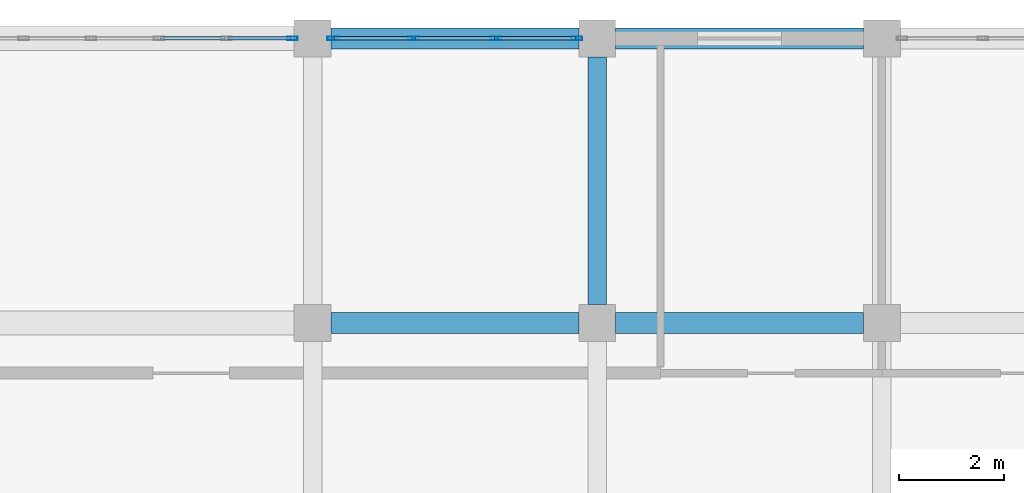
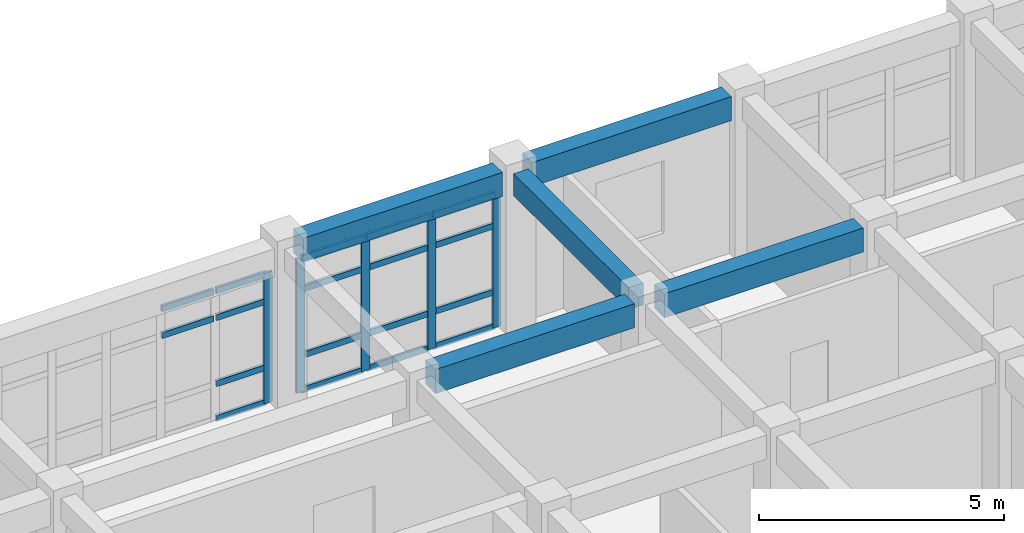
# One storey, part 13 of 23: 23 members, 5 beams, 2 elements without a shape of their own.
"""IFC4 building model written with IfcOpenShell, lengths in metres."""

from ifc_helpers import new_model, si_unit, direction, frame, origin, origin_2d, place, context, subcontext, project, spatial, rectangle, hollow_rectangle, extrude, material, layer, layer_set, material_profile, profile_set, type_object, element, aggregate, save


model = new_model("IFC4")

# Units and contexts
model_context = context("Model", 3, precision=1e-05, world=origin(), true_north=direction((0.0, 1.0)))
body_context = subcontext(model_context, "Body", "Model", "MODEL_VIEW")
ifc_project = project(units=[si_unit("LENGTHUNIT", "METRE"), si_unit("AREAUNIT", "SQUARE_METRE"), si_unit("VOLUMEUNIT", "CUBIC_METRE"), si_unit("PLANEANGLEUNIT", "RADIAN"), si_unit("MASSUNIT", "GRAM", prefix="KILO")], contexts=[model_context])

# Site, building, storey
site_placement = place(None, origin())
site = spatial("IfcSite", under=ifc_project, at=site_placement, CompositionType="ELEMENT")
building_placement = place(site_placement, origin())
building = spatial("IfcBuilding", under=site, at=building_placement, Name="Krzemoval Escarpment Law Courts", CompositionType="ELEMENT")
storey_placement = place(building_placement, frame((0.0, 0.0, 25.199951171875)))
storey = spatial("IfcBuildingStorey", under=building, at=storey_placement, Name="L05", CompositionType="ELEMENT", Elevation=25.199951171875)

# Beams
ifc_material_1 = material(Name="Concrete C40/50", Category="concrete")
ifc_material_profile_1 = material_profile(ifc_material_1, rectangle(XDim=0.35009765625, YDim=0.550048828125, at=origin_2d()), Name="RCB 350x550")
ifc_profile_set_1 = profile_set([ifc_material_profile_1], Name="Concrete C40/50")
beam_type_1 = type_object("IfcBeamType", Name="BM-RC-350x550", PredefinedType="BEAM", material=ifc_profile_set_1)
beam_placement = place(storey_placement, frame((156.60009765625, 113.75, 3.675048828125), z_axis=(0.0, 1.0, 0.0), x_axis=(-1.0, 0.0, 0.0)))
element("IfcBeam", 1, at=beam_placement, inside=storey, type_object=beam_type_1, Name="Beam FG-L05-2619", PredefinedType="BEAM", context=body_context, shape_type="SweptSolid", body=[
    extrude(rectangle(XDim=0.35009765625, YDim=0.550048828125, at=origin_2d()), origin(), (0.0, 0.0, 1.0), 4.699951171875),
])
ifc_material_2 = material(Name="Concrete C40/50", Category="concrete")
ifc_material_profile_2 = material_profile(ifc_material_2, rectangle(XDim=0.39990234375, YDim=0.60009765625, at=origin_2d()), Name="RCB 400x600")
ifc_profile_set_2 = profile_set([ifc_material_profile_2], Name="Concrete C40/50")
beam_type_2 = type_object("IfcBeamType", Name="BM-RC-400x600", PredefinedType="BEAM", material=ifc_profile_set_2)
for number, where, z_axis, x_axis, name in (
    (2, (151.550048828125, 113.39990234375, 3.650146484375), (1.0, 0.0, 0.0), (0.0, 1.0, 0.0), "Beam FG-L05-2586"),
    (3, (156.949951171875, 113.39990234375, 3.650146484375), (1.0, 0.0, 0.0), (0.0, 1.0, 0.0), "Beam FG-L05-2587"),
    (4, (151.550048828125, 118.800048828125, 3.650146484375), (1.0, 0.0, 0.0), (0.0, 1.0, 0.0), "Beam FG-L05-2593"),
    (5, (156.949951171875, 118.800048828125, 3.650146484375), (1.0, 0.0, 0.0), (0.0, 1.0, 0.0), "Beam FG-L05-2594"),
):
    element("IfcBeam", number, at=place(storey_placement, frame(where, z_axis=z_axis, x_axis=x_axis)), inside=storey, type_object=beam_type_2, Name=name, PredefinedType="BEAM", context=body_context, shape_type="SweptSolid", body=[
        extrude(rectangle(XDim=0.39990234375, YDim=0.60009765625, at=origin_2d()), origin(), (0.0, 0.0, 1.0), 4.699951171875),
    ])

# Curtain wall, member
ifc_material_3 = material(Name="Aluminium 6063-T6", Category="aluminium")
ifc_layer = layer(ifc_material_3, 0.219970703125)
ifc_layer_set = layer_set([ifc_layer], Name="Aluminium 6063-T6")
curtain_wall_type = type_object("IfcCurtainWallType", Name="CW-CHMB-4200", PredefinedType="USERDEFINED", material=ifc_layer_set)
curtain_wall_1_placement = place(storey_placement, origin())
curtain_wall_1 = element("IfcCurtainWall", 6, at=curtain_wall_1_placement, inside=storey, type_object=curtain_wall_type, Name="Unitised Curtain Wall FCW-L05-138", ObjectType="UNITISED_CURTAIN_WALL", PredefinedType="USERDEFINED")
ifc_material_4 = material(Name="Aluminium 6063-T6", Category="aluminium")
ifc_material_profile_3 = material_profile(ifc_material_4, hollow_rectangle(XDim=0.06494140625, YDim=0.199951171875, WallThickness=0.00439453125, at=origin_2d()), Name="ALU M65x200")
ifc_profile_set_3 = profile_set([ifc_material_profile_3], Name="Aluminium 6063-T6")
member_type_1 = type_object("IfcMemberType", Name="CWM-65x200", PredefinedType="MULLION", material=ifc_profile_set_3)
member_1_placement = place(storey_placement, frame((150.8173828125, 118.800048828125, 0.0), z_axis=(0.0, 0.0, 1.0), x_axis=(0.0, 1.0, 0.0)))
member_1 = element("IfcMember", 7, at=member_1_placement, type_object=member_type_1, Name="FCW-L05-138 mullion 7", PredefinedType="MULLION", context=body_context, shape_type="SweptSolid", body=[
    extrude(hollow_rectangle(XDim=0.06494140625, YDim=0.199951171875, WallThickness=0.00439453125, at=origin_2d()), origin(), (0.0, 0.0, 1.0), 3.25),
])

# Curtain wall, members
curtain_wall_2_placement = place(storey_placement, origin())
curtain_wall_2 = element("IfcCurtainWall", 8, at=curtain_wall_2_placement, inside=storey, type_object=curtain_wall_type, Name="Unitised Curtain Wall FCW-L05-139", ObjectType="UNITISED_CURTAIN_WALL", PredefinedType="USERDEFINED")
member_2_placement = place(storey_placement, frame((151.58251953125, 118.800048828125, 0.0), z_axis=(0.0, 0.0, 1.0), x_axis=(0.0, 1.0, 0.0)))
member_2 = element("IfcMember", 9, at=member_2_placement, type_object=member_type_1, Name="FCW-L05-139 mullion 1", PredefinedType="MULLION", context=body_context, shape_type="SweptSolid", body=[
    extrude(hollow_rectangle(XDim=0.06494140625, YDim=0.199951171875, WallThickness=0.00439453125, at=origin_2d()), origin(), (0.0, 0.0, 1.0), 3.35009765625),
])
member_3_placement = place(storey_placement, frame((153.11669921875, 118.800048828125, 0.0), z_axis=(0.0, 0.0, 1.0), x_axis=(0.0, 1.0, 0.0)))
member_3 = element("IfcMember", 10, at=member_3_placement, type_object=member_type_1, Name="FCW-L05-139 mullion 2", PredefinedType="MULLION", context=body_context, shape_type="SweptSolid", body=[
    extrude(hollow_rectangle(XDim=0.06494140625, YDim=0.199951171875, WallThickness=0.00439453125, at=origin_2d()), origin(), (0.0, 0.0, 1.0), 3.35009765625),
])
member_4_placement = place(storey_placement, frame((154.683349609375, 118.800048828125, 0.0), z_axis=(0.0, 0.0, 1.0), x_axis=(0.0, 1.0, 0.0)))
member_4 = element("IfcMember", 11, at=member_4_placement, type_object=member_type_1, Name="FCW-L05-139 mullion 3", PredefinedType="MULLION", context=body_context, shape_type="SweptSolid", body=[
    extrude(hollow_rectangle(XDim=0.06494140625, YDim=0.199951171875, WallThickness=0.00439453125, at=origin_2d()), origin(), (0.0, 0.0, 1.0), 3.35009765625),
])
member_5_placement = place(storey_placement, frame((156.217529296875, 118.800048828125, 0.0), z_axis=(0.0, 0.0, 1.0), x_axis=(0.0, 1.0, 0.0)))
member_5 = element("IfcMember", 12, at=member_5_placement, type_object=member_type_1, Name="FCW-L05-139 mullion 4", PredefinedType="MULLION", context=body_context, shape_type="SweptSolid", body=[
    extrude(hollow_rectangle(XDim=0.06494140625, YDim=0.199951171875, WallThickness=0.00439453125, at=origin_2d()), origin(), (0.0, 0.0, 1.0), 3.35009765625),
])

# Member
ifc_material_5 = material(Name="Aluminium 6063-T6", Category="aluminium")
ifc_material_profile_4 = material_profile(ifc_material_5, hollow_rectangle(XDim=0.06494140625, YDim=0.14990234375, WallThickness=0.00439453125, at=origin_2d()), Name="ALU T65x150")
ifc_profile_set_4 = profile_set([ifc_material_profile_4], Name="Aluminium 6063-T6")
member_type_2 = type_object("IfcMemberType", Name="CWT-65x150", PredefinedType="USERDEFINED", material=ifc_profile_set_4)
member_6_placement = place(storey_placement, frame((148.31591796875, 118.800048828125, 2.550048828125), z_axis=(1.0, 0.0, 0.0), x_axis=(0.0, 1.0, 0.0)))
member_6 = element("IfcMember", 13, at=member_6_placement, type_object=member_type_2, Name="FCW-L05-138 transom 5.3", ObjectType="TRANSOM", PredefinedType="USERDEFINED", context=body_context, shape_type="SweptSolid", body=[
    extrude(hollow_rectangle(XDim=0.06494140625, YDim=0.14990234375, WallThickness=0.00439453125, at=origin_2d()), origin(), (0.0, 0.0, 1.0), 1.21826171875),
])

member_7_placement = place(storey_placement, frame((148.31591796875, 118.800048828125, 3.217529296875), z_axis=(1.0, 0.0, 0.0), x_axis=(0.0, 1.0, 0.0)))
member_7 = element("IfcMember", 14, at=member_7_placement, type_object=member_type_2, Name="FCW-L05-138 transom 5.4", ObjectType="TRANSOM", PredefinedType="USERDEFINED", context=body_context, shape_type="SweptSolid", body=[
    extrude(hollow_rectangle(XDim=0.06494140625, YDim=0.14990234375, WallThickness=0.00439453125, at=origin_2d()), origin(), (0.0, 0.0, 1.0), 1.21826171875),
])

member_8_placement = place(storey_placement, frame((149.59912109375, 118.800048828125, 0.032470703125), z_axis=(1.0, 0.0, 0.0), x_axis=(0.0, 1.0, 0.0)))
member_8 = element("IfcMember", 15, at=member_8_placement, type_object=member_type_2, Name="FCW-L05-138 transom 6.1", ObjectType="TRANSOM", PredefinedType="USERDEFINED", context=body_context, shape_type="SweptSolid", body=[
    extrude(hollow_rectangle(XDim=0.06494140625, YDim=0.14990234375, WallThickness=0.00439453125, at=origin_2d()), origin(), (0.0, 0.0, 1.0), 1.185791015625),
])

member_9_placement = place(storey_placement, frame((149.59912109375, 118.800048828125, 0.900146484375), z_axis=(1.0, 0.0, 0.0), x_axis=(0.0, 1.0, 0.0)))
member_9 = element("IfcMember", 16, at=member_9_placement, type_object=member_type_2, Name="FCW-L05-138 transom 6.2", ObjectType="TRANSOM", PredefinedType="USERDEFINED", context=body_context, shape_type="SweptSolid", body=[
    extrude(hollow_rectangle(XDim=0.06494140625, YDim=0.14990234375, WallThickness=0.00439453125, at=origin_2d()), origin(), (0.0, 0.0, 1.0), 1.185791015625),
])

member_10_placement = place(storey_placement, frame((149.59912109375, 118.800048828125, 2.550048828125), z_axis=(1.0, 0.0, 0.0), x_axis=(0.0, 1.0, 0.0)))
member_10 = element("IfcMember", 17, at=member_10_placement, type_object=member_type_2, Name="FCW-L05-138 transom 6.3", ObjectType="TRANSOM", PredefinedType="USERDEFINED", context=body_context, shape_type="SweptSolid", body=[
    extrude(hollow_rectangle(XDim=0.06494140625, YDim=0.14990234375, WallThickness=0.00439453125, at=origin_2d()), origin(), (0.0, 0.0, 1.0), 1.185791015625),
])

member_11_placement = place(storey_placement, frame((149.59912109375, 118.800048828125, 3.217529296875), z_axis=(1.0, 0.0, 0.0), x_axis=(0.0, 1.0, 0.0)))
member_11 = element("IfcMember", 18, at=member_11_placement, type_object=member_type_2, Name="FCW-L05-138 transom 6.4", ObjectType="TRANSOM", PredefinedType="USERDEFINED", context=body_context, shape_type="SweptSolid", body=[
    extrude(hollow_rectangle(XDim=0.06494140625, YDim=0.14990234375, WallThickness=0.00439453125, at=origin_2d()), origin(), (0.0, 0.0, 1.0), 1.185791015625),
])

aggregate(curtain_wall_1, [member_1, member_6, member_7, member_8, member_9, member_10, member_11])

member_12_placement = place(storey_placement, frame((151.614990234375, 118.800048828125, 0.032470703125), z_axis=(1.0, 0.0, 0.0), x_axis=(0.0, 1.0, 0.0)))
member_12 = element("IfcMember", 19, at=member_12_placement, type_object=member_type_2, Name="FCW-L05-139 transom 1.1", ObjectType="TRANSOM", PredefinedType="USERDEFINED", context=body_context, shape_type="SweptSolid", body=[
    extrude(hollow_rectangle(XDim=0.06494140625, YDim=0.14990234375, WallThickness=0.00439453125, at=origin_2d()), origin(), (0.0, 0.0, 1.0), 1.46923828125),
])

member_13_placement = place(storey_placement, frame((151.614990234375, 118.800048828125, 0.900146484375), z_axis=(1.0, 0.0, 0.0), x_axis=(0.0, 1.0, 0.0)))
member_13 = element("IfcMember", 20, at=member_13_placement, type_object=member_type_2, Name="FCW-L05-139 transom 1.2", ObjectType="TRANSOM", PredefinedType="USERDEFINED", context=body_context, shape_type="SweptSolid", body=[
    extrude(hollow_rectangle(XDim=0.06494140625, YDim=0.14990234375, WallThickness=0.00439453125, at=origin_2d()), origin(), (0.0, 0.0, 1.0), 1.46923828125),
])

member_14_placement = place(storey_placement, frame((151.614990234375, 118.800048828125, 2.550048828125), z_axis=(1.0, 0.0, 0.0), x_axis=(0.0, 1.0, 0.0)))
member_14 = element("IfcMember", 21, at=member_14_placement, type_object=member_type_2, Name="FCW-L05-139 transom 1.3", ObjectType="TRANSOM", PredefinedType="USERDEFINED", context=body_context, shape_type="SweptSolid", body=[
    extrude(hollow_rectangle(XDim=0.06494140625, YDim=0.14990234375, WallThickness=0.00439453125, at=origin_2d()), origin(), (0.0, 0.0, 1.0), 1.46923828125),
])

member_15_placement = place(storey_placement, frame((151.614990234375, 118.800048828125, 3.317626953125), z_axis=(1.0, 0.0, 0.0), x_axis=(0.0, 1.0, 0.0)))
member_15 = element("IfcMember", 22, at=member_15_placement, type_object=member_type_2, Name="FCW-L05-139 transom 1.4", ObjectType="TRANSOM", PredefinedType="USERDEFINED", context=body_context, shape_type="SweptSolid", body=[
    extrude(hollow_rectangle(XDim=0.06494140625, YDim=0.14990234375, WallThickness=0.00439453125, at=origin_2d()), origin(), (0.0, 0.0, 1.0), 1.46923828125),
])

member_16_placement = place(storey_placement, frame((153.149169921875, 118.800048828125, 0.032470703125), z_axis=(1.0, 0.0, 0.0), x_axis=(0.0, 1.0, 0.0)))
member_16 = element("IfcMember", 23, at=member_16_placement, type_object=member_type_2, Name="FCW-L05-139 transom 2.1", ObjectType="TRANSOM", PredefinedType="USERDEFINED", context=body_context, shape_type="SweptSolid", body=[
    extrude(hollow_rectangle(XDim=0.06494140625, YDim=0.14990234375, WallThickness=0.00439453125, at=origin_2d()), origin(), (0.0, 0.0, 1.0), 1.501708984375),
])

member_17_placement = place(storey_placement, frame((153.149169921875, 118.800048828125, 0.900146484375), z_axis=(1.0, 0.0, 0.0), x_axis=(0.0, 1.0, 0.0)))
member_17 = element("IfcMember", 24, at=member_17_placement, type_object=member_type_2, Name="FCW-L05-139 transom 2.2", ObjectType="TRANSOM", PredefinedType="USERDEFINED", context=body_context, shape_type="SweptSolid", body=[
    extrude(hollow_rectangle(XDim=0.06494140625, YDim=0.14990234375, WallThickness=0.00439453125, at=origin_2d()), origin(), (0.0, 0.0, 1.0), 1.501708984375),
])

member_18_placement = place(storey_placement, frame((153.149169921875, 118.800048828125, 2.550048828125), z_axis=(1.0, 0.0, 0.0), x_axis=(0.0, 1.0, 0.0)))
member_18 = element("IfcMember", 25, at=member_18_placement, type_object=member_type_2, Name="FCW-L05-139 transom 2.3", ObjectType="TRANSOM", PredefinedType="USERDEFINED", context=body_context, shape_type="SweptSolid", body=[
    extrude(hollow_rectangle(XDim=0.06494140625, YDim=0.14990234375, WallThickness=0.00439453125, at=origin_2d()), origin(), (0.0, 0.0, 1.0), 1.501708984375),
])

member_19_placement = place(storey_placement, frame((153.149169921875, 118.800048828125, 3.317626953125), z_axis=(1.0, 0.0, 0.0), x_axis=(0.0, 1.0, 0.0)))
member_19 = element("IfcMember", 26, at=member_19_placement, type_object=member_type_2, Name="FCW-L05-139 transom 2.4", ObjectType="TRANSOM", PredefinedType="USERDEFINED", context=body_context, shape_type="SweptSolid", body=[
    extrude(hollow_rectangle(XDim=0.06494140625, YDim=0.14990234375, WallThickness=0.00439453125, at=origin_2d()), origin(), (0.0, 0.0, 1.0), 1.501708984375),
])

member_20_placement = place(storey_placement, frame((154.7158203125, 118.800048828125, 0.032470703125), z_axis=(1.0, 0.0, 0.0), x_axis=(0.0, 1.0, 0.0)))
member_20 = element("IfcMember", 27, at=member_20_placement, type_object=member_type_2, Name="FCW-L05-139 transom 3.1", ObjectType="TRANSOM", PredefinedType="USERDEFINED", context=body_context, shape_type="SweptSolid", body=[
    extrude(hollow_rectangle(XDim=0.06494140625, YDim=0.14990234375, WallThickness=0.00439453125, at=origin_2d()), origin(), (0.0, 0.0, 1.0), 1.46923828125),
])

member_21_placement = place(storey_placement, frame((154.7158203125, 118.800048828125, 0.900146484375), z_axis=(1.0, 0.0, 0.0), x_axis=(0.0, 1.0, 0.0)))
member_21 = element("IfcMember", 28, at=member_21_placement, type_object=member_type_2, Name="FCW-L05-139 transom 3.2", ObjectType="TRANSOM", PredefinedType="USERDEFINED", context=body_context, shape_type="SweptSolid", body=[
    extrude(hollow_rectangle(XDim=0.06494140625, YDim=0.14990234375, WallThickness=0.00439453125, at=origin_2d()), origin(), (0.0, 0.0, 1.0), 1.46923828125),
])

member_22_placement = place(storey_placement, frame((154.7158203125, 118.800048828125, 2.550048828125), z_axis=(1.0, 0.0, 0.0), x_axis=(0.0, 1.0, 0.0)))
member_22 = element("IfcMember", 29, at=member_22_placement, type_object=member_type_2, Name="FCW-L05-139 transom 3.3", ObjectType="TRANSOM", PredefinedType="USERDEFINED", context=body_context, shape_type="SweptSolid", body=[
    extrude(hollow_rectangle(XDim=0.06494140625, YDim=0.14990234375, WallThickness=0.00439453125, at=origin_2d()), origin(), (0.0, 0.0, 1.0), 1.46923828125),
])

member_23_placement = place(storey_placement, frame((154.7158203125, 118.800048828125, 3.317626953125), z_axis=(1.0, 0.0, 0.0), x_axis=(0.0, 1.0, 0.0)))
member_23 = element("IfcMember", 30, at=member_23_placement, type_object=member_type_2, Name="FCW-L05-139 transom 3.4", ObjectType="TRANSOM", PredefinedType="USERDEFINED", context=body_context, shape_type="SweptSolid", body=[
    extrude(hollow_rectangle(XDim=0.06494140625, YDim=0.14990234375, WallThickness=0.00439453125, at=origin_2d()), origin(), (0.0, 0.0, 1.0), 1.46923828125),
])

aggregate(curtain_wall_2, [member_2, member_3, member_4, member_5, member_12, member_13, member_14, member_15, member_16, member_17, member_18, member_19, member_20, member_21, member_22, member_23])

save(model, "model.ifc")
